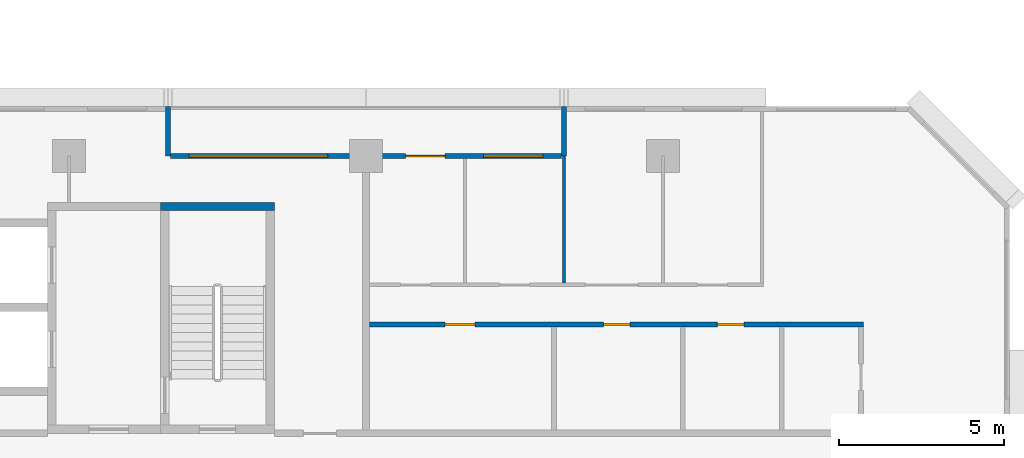
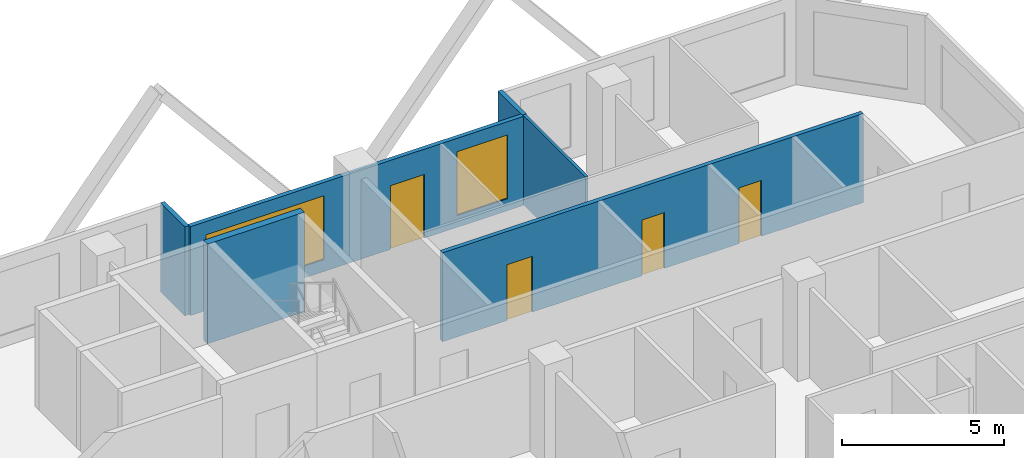
# One storey, part 8 of 15: 6 walls, 4 doors, 2 windows, 6 openings.
"""IFC4 building model written with IfcOpenShell, lengths in metres."""

from ifc_helpers import new_model, si_unit, direction, frame, frame_2d, origin, place, context, subcontext, project, spatial, rectangle, extrude, material, layer, layer_set, type_object, element, fill, save


model = new_model("IFC4")

# Units and contexts
model_context = context("Model", 3, precision=1e-05, world=origin(), true_north=direction((0.0, 1.0)))
body_context = subcontext(model_context, "Body", "Model", "MODEL_VIEW")
ifc_project = project(units=[si_unit("LENGTHUNIT", "METRE"), si_unit("AREAUNIT", "SQUARE_METRE"), si_unit("VOLUMEUNIT", "CUBIC_METRE"), si_unit("PLANEANGLEUNIT", "RADIAN"), si_unit("MASSUNIT", "GRAM", prefix="KILO")], contexts=[model_context])

# Site, building, storey
site_placement = place(None, origin())
site = spatial("IfcSite", under=ifc_project, at=site_placement, CompositionType="ELEMENT")
building_placement = place(site_placement, origin())
building = spatial("IfcBuilding", under=site, at=building_placement, Name="Chenar Terraces", CompositionType="ELEMENT")
storey_placement = place(building_placement, frame((0.0, 0.0, 121.89990234375)))
storey = spatial("IfcBuildingStorey", under=building, at=storey_placement, Name="L28", CompositionType="ELEMENT", Elevation=121.89990234375)

# Wall
ifc_material_1 = material(Name="Concrete C70/85", Category="concrete")
ifc_layer_1 = layer(ifc_material_1, 0.25)
ifc_layer_set_1 = layer_set([ifc_layer_1], Name="Concrete C70/85")
wall_type_1 = type_object("IfcWallType", Name="Core wall 250 Concrete C70/85", PredefinedType="SHEAR", material=ifc_layer_set_1)
wall_1_placement = place(storey_placement, frame((47.77490234375, 22.47509765625, 0.0), z_axis=(0.0, 0.0, 1.0), x_axis=(1.0, 0.0, 0.0)))
element("IfcWall", 1, at=wall_1_placement, inside=storey, type_object=wall_type_1, Name="Core wall ST3_N L28", PredefinedType="SHEAR", context=body_context, shape_type="SweptSolid", body=[
    extrude(rectangle(XDim=3.4501953125, YDim=0.25, at=frame_2d((1.72509765625, 0.0))), origin(), (0.0, 0.0, 1.0), 3.75),
])

# Wall, openings, windows, door
ifc_material_2 = material(Name="Aluminium framed glazing", Category="aluminium")
ifc_layer_2 = layer(ifc_material_2, 0.14990234375)
ifc_layer_set_2 = layer_set([ifc_layer_2], Name="Aluminium framed glazing")
wall_type_2 = type_object("IfcWallType", Name="Glazed loggia back wall 150", PredefinedType="SOLIDWALL", material=ifc_layer_set_2)
wall_2_placement = place(storey_placement, frame((59.925048828125, 24.0, 0.0), z_axis=(0.0, 0.0, 1.0), x_axis=(-1.0, 0.0, 0.0)))
wall_2 = element("IfcWall", 2, at=wall_2_placement, inside=storey, type_object=wall_type_2, Name="Glazed loggia back wall", PredefinedType="SOLIDWALL", context=body_context, shape_type="SweptSolid", body=[
    extrude(rectangle(XDim=11.85009765625, YDim=0.14990234375, at=frame_2d((5.925048828125, 0.0))), origin(), (0.0, 0.0, 1.0), 3.35009765625),
])
opening_1_placement = place(wall_2_placement, frame((0.5625, 0.0, 0.449951171875)))
opening_1 = element("IfcOpeningElement", 3, at=opening_1_placement, cuts=wall_2, Name="Opening W180x240", PredefinedType="OPENING", context=body_context, shape_type="SweptSolid", body=[
    extrude(rectangle(XDim=1.800048828125, YDim=2.39990234375, at=frame_2d((0.89990234375, 1.199951171875))), frame((0.0, 0.0849609375, 0.0), z_axis=(0.0, -1.0, 0.0), x_axis=(1.0, 0.0, 0.0)), (0.0, 0.0, 1.0), 0.169921875),
])
opening_2_placement = place(wall_2_placement, frame((3.52490234375, 0.0, 0.0)))
opening_2 = element("IfcOpeningElement", 4, at=opening_2_placement, cuts=wall_2, Name="Opening DL28-G1", PredefinedType="OPENING", context=body_context, shape_type="SweptSolid", body=[
    extrude(rectangle(XDim=1.199951171875, YDim=2.39990234375, at=frame_2d((0.60009765625, 1.199951171875))), frame((0.0, 0.0849609375, 0.0), z_axis=(0.0, -1.0, 0.0), x_axis=(1.0, 0.0, 0.0)), (0.0, 0.0, 1.0), 0.169921875),
])
opening_3_placement = place(wall_2_placement, frame((7.08740234375, 0.0, 0.449951171875)))
opening_3 = element("IfcOpeningElement", 5, at=opening_3_placement, cuts=wall_2, Name="Opening W420x240", PredefinedType="OPENING", context=body_context, shape_type="SweptSolid", body=[
    extrude(rectangle(XDim=4.199951171875, YDim=2.39990234375, at=frame_2d((2.10009765625, 1.199951171875))), frame((0.0, 0.0849609375, 0.0), z_axis=(0.0, -1.0, 0.0), x_axis=(1.0, 0.0, 0.0)), (0.0, 0.0, 1.0), 0.169921875),
])
ifc_material_3 = material(Name="Low emissivity double glazing, aluminium frame", Category="aluminium")
window_type_1 = type_object("IfcWindowType", Name="Fixed light 1800 x 2400", PartitioningType="SINGLE_PANEL", PredefinedType="WINDOW", material=ifc_material_3)
window_1_placement = place(opening_1_placement, origin())
window_1 = element("IfcWindow", 6, at=window_1_placement, inside=storey, type_object=window_type_1, Name="Window", OverallHeight=2.39990234375, OverallWidth=1.800048828125, PartitioningType="SINGLE_PANEL", PredefinedType="WINDOW", context=body_context, shape_type="SweptSolid", body=[
    extrude(rectangle(XDim=1.800048828125, YDim=2.39990234375, at=frame_2d((0.89990234375, 1.199951171875))), frame((0.0, 0.030029296875, 0.0), z_axis=(0.0, -1.0, 0.0), x_axis=(1.0, 0.0, 0.0)), (0.0, 0.0, 1.0), 0.06005859375),
])
fill(opening_1, window_1)
ifc_material_4 = material(Name="Low emissivity double glazing, aluminium frame", Category="aluminium")
window_type_2 = type_object("IfcWindowType", Name="Fixed light 4200 x 2400", PartitioningType="SINGLE_PANEL", PredefinedType="WINDOW", material=ifc_material_4)
window_2_placement = place(opening_3_placement, origin())
window_2 = element("IfcWindow", 7, at=window_2_placement, inside=storey, type_object=window_type_2, Name="Window", OverallHeight=2.39990234375, OverallWidth=4.199951171875, PartitioningType="SINGLE_PANEL", PredefinedType="WINDOW", context=body_context, shape_type="SweptSolid", body=[
    extrude(rectangle(XDim=4.199951171875, YDim=2.39990234375, at=frame_2d((2.10009765625, 1.199951171875))), frame((0.0, 0.030029296875, 0.0), z_axis=(0.0, -1.0, 0.0), x_axis=(1.0, 0.0, 0.0)), (0.0, 0.0, 1.0), 0.06005859375),
])
fill(opening_3, window_2)
ifc_material_5 = material(Name="Low emissivity double glazing, aluminium frame", Category="aluminium")
door_type_1 = type_object("IfcDoorType", Name="Loggia glazed double door 1200 x 2400", OperationType="DOUBLE_DOOR_SINGLE_SWING", PredefinedType="DOOR", material=ifc_material_5)
door_1_placement = place(opening_2_placement, frame((1.199951171875, 0.0, 0.0), z_axis=(0.0, 0.0, 1.0), x_axis=(-1.0, 0.0, 0.0)))
door_1 = element("IfcDoor", 8, at=door_1_placement, inside=storey, type_object=door_type_1, Name="Loggia glazed door", OperationType="DOUBLE_DOOR_SINGLE_SWING", OverallHeight=2.39990234375, OverallWidth=1.199951171875, PredefinedType="DOOR", context=body_context, shape_type="SweptSolid", body=[
    extrude(rectangle(XDim=1.199951171875, YDim=2.39990234375, at=frame_2d((0.60009765625, 1.199951171875))), frame((0.0, 0.02490234375, 0.0), z_axis=(0.0, -1.0, 0.0), x_axis=(1.0, 0.0, 0.0)), (0.0, 0.0, 1.0), 0.050048828125),
])
fill(opening_2, door_1)

# Walls
ifc_material_6 = material(Name="Gypsum board on steel studs", Category="steel")
ifc_layer_3 = layer(ifc_material_6, 0.10009765625)
ifc_layer_set_3 = layer_set([ifc_layer_3], Name="Gypsum board on steel studs")
wall_type_3 = type_object("IfcWallType", Name="Gypsum partition 100", PredefinedType="PARTITIONING", material=ifc_layer_set_3)
wall_3_placement = place(storey_placement, frame((60.0, 20.14990234375, 0.0), z_axis=(0.0, 0.0, 1.0), x_axis=(0.0, 1.0, 0.0)))
element("IfcWall", 9, at=wall_3_placement, inside=storey, type_object=wall_type_3, Name="Partition L28-088", PredefinedType="PARTITIONING", context=body_context, shape_type="SweptSolid", body=[
    extrude(rectangle(XDim=3.85009765625, YDim=0.10009765625, at=frame_2d((1.925048828125, 0.0))), origin(), (0.0, 0.0, 1.0), 3.35009765625),
])
ifc_material_7 = material(Name="Terracotta cladding on insulated backing", Category="masonry")
ifc_layer_4 = layer(ifc_material_7, 0.14990234375)
ifc_layer_set_4 = layer_set([ifc_layer_4], Name="Terracotta cladding on insulated backing")
wall_type_4 = type_object("IfcWallType", Name="Loggia return wall 150", PredefinedType="SOLIDWALL", material=ifc_layer_set_4)
for number, where, z_axis, x_axis, name in (
    (10, (60.0, 25.5, 0.0), (0.0, 0.0, 1.0), (0.0, -1.0, 0.0), "Loggia return wall"),
    (11, (48.0, 25.5, 0.0), (0.0, 0.0, 1.0), (0.0, -1.0, 0.0), "Loggia return wall"),
):
    element("IfcWall", number, at=place(storey_placement, frame(where, z_axis=z_axis, x_axis=x_axis)), inside=storey, type_object=wall_type_4, Name=name, PredefinedType="SOLIDWALL", context=body_context, shape_type="SweptSolid", body=[
        extrude(rectangle(XDim=1.5, YDim=0.14990234375, at=frame_2d((0.75, 0.0))), origin(), (0.0, 0.0, 1.0), 3.35009765625),
    ])

# Wall, openings, doors
ifc_material_8 = material(Name="Moisture-resistant gypsum board on steel studs", Category="steel")
ifc_layer_5 = layer(ifc_material_8, 0.14990234375)
ifc_layer_set_5 = layer_set([ifc_layer_5], Name="Moisture-resistant gypsum board on steel studs")
wall_type_5 = type_object("IfcWallType", Name="Wet-room partition 150", PredefinedType="PARTITIONING", material=ifc_layer_set_5)
wall_4_placement = place(storey_placement, frame((54.10009765625, 18.89990234375, 0.0), z_axis=(0.0, 0.0, 1.0), x_axis=(1.0, 0.0, 0.0)))
wall_4 = element("IfcWall", 12, at=wall_4_placement, inside=storey, type_object=wall_type_5, Name="Partition L28-080", PredefinedType="PARTITIONING", context=body_context, shape_type="SweptSolid", body=[
    extrude(rectangle(XDim=14.974853515625, YDim=0.14990234375, at=frame_2d((7.4873046875, 0.0))), origin(), (0.0, 0.0, 1.0), 3.35009765625),
])
opening_4_placement = place(wall_4_placement, frame((2.300048828125, 0.0, 0.0)))
opening_4 = element("IfcOpeningElement", 13, at=opening_4_placement, cuts=wall_4, Name="Opening DL28-7", PredefinedType="OPENING", context=body_context, shape_type="SweptSolid", body=[
    extrude(rectangle(XDim=0.89990234375, YDim=2.10009765625, at=frame_2d((0.449951171875, 1.050048828125))), frame((0.0, 0.0849609375, 0.0), z_axis=(0.0, -1.0, 0.0), x_axis=(1.0, 0.0, 0.0)), (0.0, 0.0, 1.0), 0.169921875),
])
opening_5_placement = place(wall_4_placement, frame((7.10009765625, 0.0, 0.0)))
opening_5 = element("IfcOpeningElement", 14, at=opening_5_placement, cuts=wall_4, Name="Opening DL28-11", PredefinedType="OPENING", context=body_context, shape_type="SweptSolid", body=[
    extrude(rectangle(XDim=0.800048828125, YDim=2.10009765625, at=frame_2d((0.39990234375, 1.050048828125))), frame((0.0, 0.0849609375, 0.0), z_axis=(0.0, -1.0, 0.0), x_axis=(1.0, 0.0, 0.0)), (0.0, 0.0, 1.0), 0.169921875),
])
opening_6_placement = place(wall_4_placement, frame((10.550048828125, 0.0, 0.0)))
opening_6 = element("IfcOpeningElement", 15, at=opening_6_placement, cuts=wall_4, Name="Opening DL28-12", PredefinedType="OPENING", context=body_context, shape_type="SweptSolid", body=[
    extrude(rectangle(XDim=0.800048828125, YDim=2.10009765625, at=frame_2d((0.39990234375, 1.050048828125))), frame((0.0, 0.0849609375, 0.0), z_axis=(0.0, -1.0, 0.0), x_axis=(1.0, 0.0, 0.0)), (0.0, 0.0, 1.0), 0.169921875),
])
ifc_material_9 = material(Name="Veneered timber door leaf", Category="wood")
door_type_2 = type_object("IfcDoorType", Name="Door 800 x 2100", OperationType="SINGLE_SWING_LEFT", PredefinedType="DOOR", material=ifc_material_9)
door_2_placement = place(opening_5_placement, frame((0.800048828125, 0.0, 0.0), z_axis=(0.0, 0.0, 1.0), x_axis=(-1.0, 0.0, 0.0)))
door_2 = element("IfcDoor", 16, at=door_2_placement, inside=storey, type_object=door_type_2, Name="Door DL28-11", OperationType="SINGLE_SWING_RIGHT", OverallHeight=2.10009765625, OverallWidth=0.800048828125, PredefinedType="DOOR", context=body_context, shape_type="SweptSolid", body=[
    extrude(rectangle(XDim=0.800048828125, YDim=2.10009765625, at=frame_2d((0.39990234375, 1.050048828125))), frame((0.0, 0.02490234375, 0.0), z_axis=(0.0, -1.0, 0.0), x_axis=(1.0, 0.0, 0.0)), (0.0, 0.0, 1.0), 0.050048828125),
])
fill(opening_5, door_2)
door_3_placement = place(opening_6_placement, frame((0.800048828125, 0.0, 0.0), z_axis=(0.0, 0.0, 1.0), x_axis=(-1.0, 0.0, 0.0)))
door_3 = element("IfcDoor", 17, at=door_3_placement, inside=storey, type_object=door_type_2, Name="Door DL28-12", OperationType="SINGLE_SWING_RIGHT", OverallHeight=2.10009765625, OverallWidth=0.800048828125, PredefinedType="DOOR", context=body_context, shape_type="SweptSolid", body=[
    extrude(rectangle(XDim=0.800048828125, YDim=2.10009765625, at=frame_2d((0.39990234375, 1.050048828125))), frame((0.0, 0.02490234375, 0.0), z_axis=(0.0, -1.0, 0.0), x_axis=(1.0, 0.0, 0.0)), (0.0, 0.0, 1.0), 0.050048828125),
])
fill(opening_6, door_3)
ifc_material_10 = material(Name="Veneered timber door leaf", Category="wood")
door_type_3 = type_object("IfcDoorType", Name="Door 900 x 2100", OperationType="SINGLE_SWING_LEFT", PredefinedType="DOOR", material=ifc_material_10)
door_4_placement = place(opening_4_placement, frame((0.89990234375, 0.0, 0.0), z_axis=(0.0, 0.0, 1.0), x_axis=(-1.0, 0.0, 0.0)))
door_4 = element("IfcDoor", 18, at=door_4_placement, inside=storey, type_object=door_type_3, Name="Door DL28-7", OperationType="SINGLE_SWING_RIGHT", OverallHeight=2.10009765625, OverallWidth=0.89990234375, PredefinedType="DOOR", context=body_context, shape_type="SweptSolid", body=[
    extrude(rectangle(XDim=0.89990234375, YDim=2.10009765625, at=frame_2d((0.449951171875, 1.050048828125))), frame((0.0, 0.02490234375, 0.0), z_axis=(0.0, -1.0, 0.0), x_axis=(1.0, 0.0, 0.0)), (0.0, 0.0, 1.0), 0.050048828125),
])
fill(opening_4, door_4)

save(model, "model.ifc")
